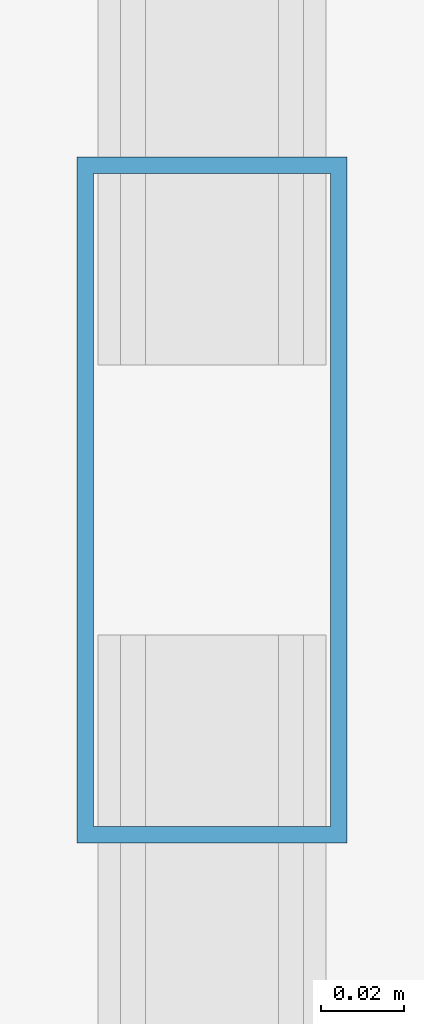
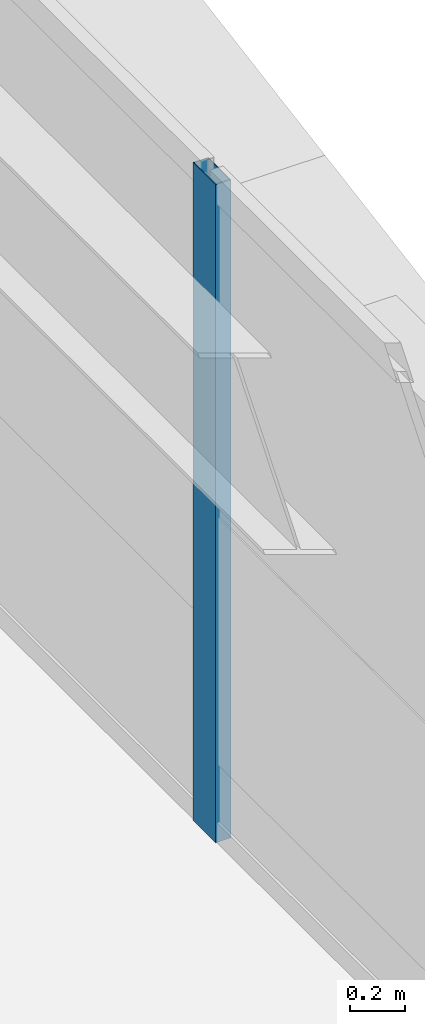
# One storey, part 26 of 58: 1 member, 1 element without a shape of its own.
"""IFC4 building model written with IfcOpenShell, lengths in metres."""

from ifc_helpers import new_model, si_unit, direction, frame, origin, origin_2d, place, context, subcontext, project, spatial, hollow_rectangle, extrude, source, transform, mapped, material, layer, layer_set, material_profile, profile_set, type_object, element, aggregate, save


model = new_model("IFC4")

# Units and contexts
model_context = context("Model", 3, precision=1e-05, world=origin(), true_north=direction((0.0, 1.0)))
body_context = subcontext(model_context, "Body", "Model", "MODEL_VIEW")
ifc_project = project(units=[si_unit("LENGTHUNIT", "METRE"), si_unit("AREAUNIT", "SQUARE_METRE"), si_unit("VOLUMEUNIT", "CUBIC_METRE"), si_unit("PLANEANGLEUNIT", "RADIAN"), si_unit("MASSUNIT", "GRAM", prefix="KILO")], contexts=[model_context])

# Site, building, storey
site_placement = place(None, origin())
site = spatial("IfcSite", under=ifc_project, at=site_placement, CompositionType="ELEMENT")
building_placement = place(site_placement, origin())
building = spatial("IfcBuilding", under=site, at=building_placement, Name="Taldren Reach Tower", CompositionType="ELEMENT")
storey_placement = place(building_placement, frame((0.0, 0.0, 35.699951171875)))
storey = spatial("IfcBuildingStorey", under=building, at=storey_placement, Name="L10", CompositionType="ELEMENT", Elevation=35.699951171875)

# Curtain wall, member
ifc_material_1 = material(Name="Aluminium and Low-E Glass Unitised System", Category="aluminium")
ifc_layer = layer(ifc_material_1, 0.159912109375)
ifc_layer_set = layer_set([ifc_layer], Name="Aluminium and Low-E Glass Unitised System")
curtain_wall_type = type_object("IfcCurtainWallType", Name="CW-SYS-2", PredefinedType="NOTDEFINED", material=ifc_layer_set)
curtain_wall_placement = place(storey_placement, origin())
curtain_wall = element("IfcCurtainWall", 1, at=curtain_wall_placement, inside=storey, type_object=curtain_wall_type, Name="Unitised curtain wall CW-L10-E", PredefinedType="NOTDEFINED")
ifc_material_2 = material(Name="Anodised Aluminium 6063-T6", Category="aluminium")
ifc_material_profile = material_profile(ifc_material_2, hollow_rectangle(XDim=0.06494140625, YDim=0.1650390625, WallThickness=0.00390625, at=origin_2d()), Name="ALU-165x65x4RHS")
ifc_profile_set = profile_set([ifc_material_profile], Name="Anodised Aluminium 6063-T6")
member_type = type_object("IfcMemberType", Name="CW-MUL-165", PredefinedType="MULLION", material=ifc_profile_set)
shared_shape = source(origin(), body_context, "Body", "SweptSolid", [
    extrude(hollow_rectangle(XDim=0.06494140625, YDim=0.1650390625, WallThickness=0.00390625, at=origin_2d()), origin(), (0.0, 0.0, 1.0), 2.929931640625),
])
member_placement = place(storey_placement, frame((64.860107421875, 11.388916015625, 0.0), z_axis=(0.0, 0.0, 1.0), x_axis=(-1.0, 0.0, 0.0)))
member = element("IfcMember", 2, at=member_placement, type_object=member_type, Name="CW-2 mullion 3", PredefinedType="MULLION", context=body_context, shape_type="MappedRepresentation", body=[
    mapped(shared_shape, transform((0.0, 0.0, 0.0), scale=1.0)),
])
aggregate(curtain_wall, [member])

save(model, "model.ifc")
